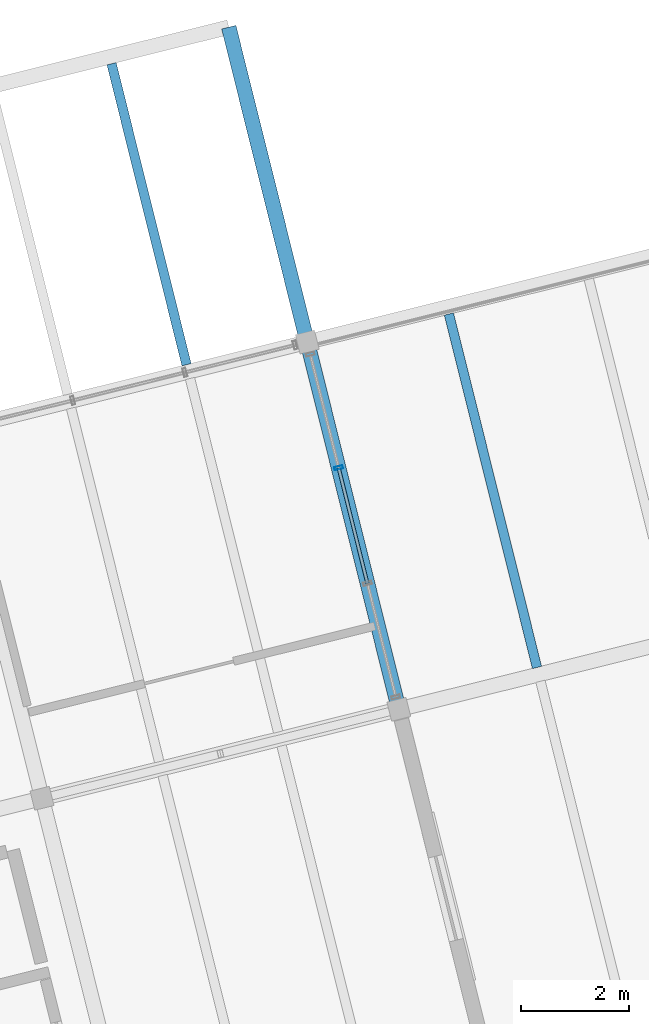
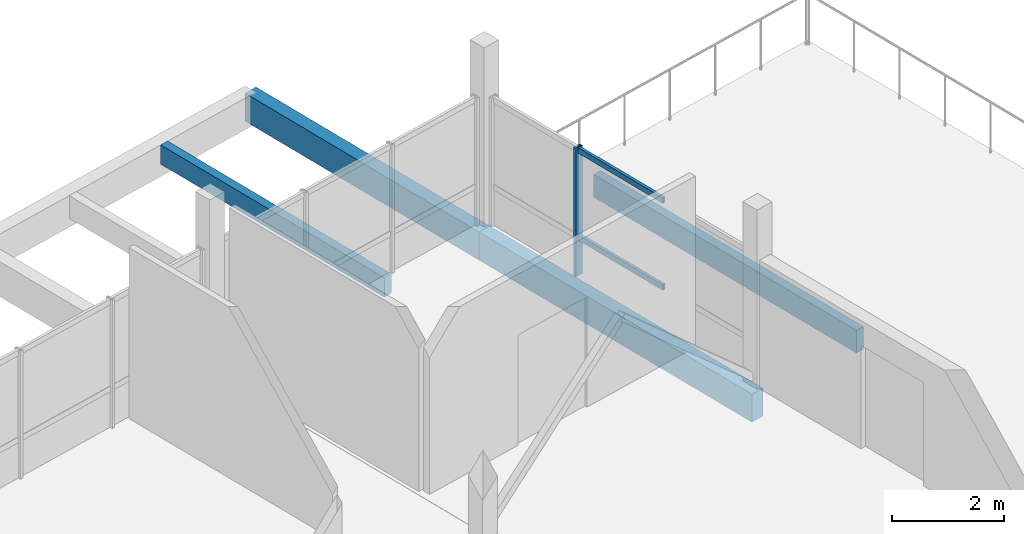
# One storey, part 23 of 28: 4 beams, 3 members, 1 element without a shape of its own.
"""IFC4 building model written with IfcOpenShell, lengths in metres."""

from ifc_helpers import new_model, si_unit, direction, frame, origin, origin_2d, place, context, subcontext, project, spatial, rectangle, hollow_rectangle, extrude, material, layer, layer_set, material_profile, profile_set, type_object, element, aggregate, save


model = new_model("IFC4")

# Units and contexts
model_context = context("Model", 3, precision=1e-05, world=origin(), true_north=direction((0.0, 1.0)))
body_context = subcontext(model_context, "Body", "Model", "MODEL_VIEW")
ifc_project = project(units=[si_unit("LENGTHUNIT", "METRE"), si_unit("AREAUNIT", "SQUARE_METRE"), si_unit("VOLUMEUNIT", "CUBIC_METRE"), si_unit("PLANEANGLEUNIT", "RADIAN"), si_unit("MASSUNIT", "GRAM", prefix="KILO")], contexts=[model_context])

# Site, building, storey
site_placement = place(None, origin())
site = spatial("IfcSite", under=ifc_project, at=site_placement, CompositionType="ELEMENT")
building_placement = place(site_placement, origin())
building = spatial("IfcBuilding", under=site, at=building_placement, Name="Meriwether Solvik Hall", CompositionType="ELEMENT")
storey_placement = place(building_placement, frame((0.0, 0.0, 45.60009765625)))
storey = spatial("IfcBuildingStorey", under=building, at=storey_placement, Name="L11", CompositionType="ELEMENT", Elevation=45.60009765625)

# Beams
ifc_material_1 = material(Name="Glulam Douglas-Fir 24F-V8 GL28h", Category="wood")
ifc_material_profile_1 = material_profile(ifc_material_1, rectangle(XDim=0.27294921875, YDim=0.610107421875, at=origin_2d()), Name="GLB-273X610")
ifc_profile_set_1 = profile_set([ifc_material_profile_1], Name="Glulam Douglas-Fir 24F-V8 GL28h")
beam_type_1 = type_object("IfcBeamType", Name="BM-GL-273X610", PredefinedType="SPANDREL", material=ifc_profile_set_1)
beam_1_placement = place(storey_placement, frame((98.4501953125, 70.285400390625, -0.525146484375), z_axis=(-0.241911879182, 0.970298223594, 0.0), x_axis=(-0.970298223594, -0.241911879182, 0.0)))
element("IfcBeam", 1, at=beam_1_placement, inside=storey, type_object=beam_type_1, Name="Tower Girder T6:TD-TE (L11)", PredefinedType="SPANDREL", context=body_context, shape_type="SweptSolid", body=[
    extrude(rectangle(XDim=0.27294921875, YDim=0.610107421875, at=origin_2d()), origin(), (0.0, 0.0, 1.0), 7.0),
])
beam_2_placement = place(storey_placement, frame((96.7568359375, 77.077392578125, -0.525146484375), z_axis=(-0.241903677572, 0.970300268359, 0.0), x_axis=(-0.970300268359, -0.241903677572, 0.0)))
element("IfcBeam", 2, at=beam_2_placement, inside=storey, type_object=beam_type_1, Name="Tower Girder T6:TE-TF (L11)", PredefinedType="SPANDREL", context=body_context, shape_type="SweptSolid", body=[
    extrude(rectangle(XDim=0.27294921875, YDim=0.610107421875, at=origin_2d()), origin(), (0.0, 0.0, 1.0), 6.0),
])

# Curtain wall, members
ifc_material_2 = material(Name="Thermally Broken Anodised Aluminium 6063-T6 and Low-E Glass", Category="aluminium")
ifc_layer = layer(ifc_material_2, 0.179931640625)
ifc_layer_set = layer_set([ifc_layer], Name="Thermally Broken Anodised Aluminium 6063-T6 and Low-E Glass")
curtain_wall_type = type_object("IfcCurtainWallType", Name="CW-UNIT-F", PredefinedType="USERDEFINED", material=ifc_layer_set)
curtain_wall_placement = place(storey_placement, origin())
curtain_wall = element("IfcCurtainWall", 3, at=curtain_wall_placement, inside=storey, type_object=curtain_wall_type, Name="Curtain Wall E1_B3 (L11)", ObjectType="UNITISED CURTAIN WALL", PredefinedType="USERDEFINED")
ifc_material_3 = material(Name="Anodised Aluminium 6063-T6", Category="aluminium")
ifc_material_profile_2 = material_profile(ifc_material_3, hollow_rectangle(XDim=0.06005859375, YDim=0.159912109375, WallThickness=0.00390625, at=origin_2d()), Name="CWM-60X160")
ifc_profile_set_2 = profile_set([ifc_material_profile_2], Name="Anodised Aluminium 6063-T6")
member_type_1 = type_object("IfcMemberType", Name="CW-MUL-60X160", PredefinedType="MULLION", material=ifc_profile_set_2)
member_1_placement = place(storey_placement, frame((97.3369140625, 74.75048828125, 0.0), z_axis=(0.0, 0.0, 1.0), x_axis=(0.241921946828, -0.970295713503, 0.0)))
member_1 = element("IfcMember", 4, at=member_1_placement, type_object=member_type_1, Name="Curtain Wall Mullion 2", PredefinedType="MULLION", context=body_context, shape_type="SweptSolid", body=[
    extrude(hollow_rectangle(XDim=0.06005859375, YDim=0.159912109375, WallThickness=0.00390625, at=origin_2d()), origin(), (0.0, 0.0, 1.0), 2.789794921875),
])
ifc_material_4 = material(Name="Anodised Aluminium 6063-T6", Category="aluminium")
ifc_material_profile_3 = material_profile(ifc_material_4, hollow_rectangle(XDim=0.06005859375, YDim=0.1201171875, WallThickness=0.00390625, at=origin_2d()), Name="CWT-60X120")
ifc_profile_set_3 = profile_set([ifc_material_profile_3], Name="Anodised Aluminium 6063-T6")
member_type_2 = type_object("IfcMemberType", Name="CW-TRN-60X120", PredefinedType="USERDEFINED", material=ifc_profile_set_3)
member_2_placement = place(storey_placement, frame((97.3369140625, 74.75048828125, 0.8369140625), z_axis=(0.241962089235, -0.970285703993, 0.0), x_axis=(0.970285703993, 0.241962089235, 0.0)))
member_2 = element("IfcMember", 5, at=member_2_placement, type_object=member_type_2, Name="Curtain Wall Transom 2-sill", ObjectType="TRANSOM", PredefinedType="USERDEFINED", context=body_context, shape_type="SweptSolid", body=[
    extrude(hollow_rectangle(XDim=0.06005859375, YDim=0.1201171875, WallThickness=0.00390625, at=origin_2d()), origin(), (0.0, 0.0, 1.0), 2.20361328125),
])
member_3_placement = place(storey_placement, frame((97.3369140625, 74.75048828125, 2.72998046875), z_axis=(0.241962089235, -0.970285703993, 0.0), x_axis=(0.970285703993, 0.241962089235, 0.0)))
member_3 = element("IfcMember", 6, at=member_3_placement, type_object=member_type_2, Name="Curtain Wall Transom 2-head", ObjectType="TRANSOM", PredefinedType="USERDEFINED", context=body_context, shape_type="SweptSolid", body=[
    extrude(hollow_rectangle(XDim=0.06005859375, YDim=0.1201171875, WallThickness=0.00390625, at=origin_2d()), origin(), (0.0, 0.0, 1.0), 2.20361328125),
])
aggregate(curtain_wall, [member_1, member_2, member_3])

# Beams
ifc_material_5 = material(Name="Glulam Douglas-Fir 24F-V8 GL28h", Category="wood")
ifc_material_profile_4 = material_profile(ifc_material_5, rectangle(XDim=0.175048828125, YDim=0.419921875, at=origin_2d()), Name="GLJ-175X420")
ifc_profile_set_4 = profile_set([ifc_material_profile_4], Name="Glulam Douglas-Fir 24F-V8 GL28h")
beam_type_2 = type_object("IfcBeamType", Name="JST-GL-175X420", PredefinedType="JOIST", material=ifc_profile_set_4)
beam_3_placement = place(storey_placement, frame((94.525634765625, 76.65673828125, -0.41015625), z_axis=(-0.241924788532, 0.970295004982, 0.0), x_axis=(-0.970295004982, -0.241924788532, 0.0)))
element("IfcBeam", 7, at=beam_3_placement, inside=storey, type_object=beam_type_2, Name="Glulam Floor Joist T5/TE-J2 (L11)", PredefinedType="JOIST", context=body_context, shape_type="SweptSolid", body=[
    extrude(rectangle(XDim=0.175048828125, YDim=0.419921875, at=origin_2d()), origin(), (0.0, 0.0, 1.0), 5.737060546875),
])
ifc_material_6 = material(Name="Glulam Douglas-Fir 24F-V8 GL28h", Category="wood")
ifc_material_profile_5 = material_profile(ifc_material_6, rectangle(XDim=0.175048828125, YDim=0.4951171875, at=origin_2d()), Name="GLJ-175X495")
ifc_profile_set_5 = profile_set([ifc_material_profile_5], Name="Glulam Douglas-Fir 24F-V8 GL28h")
beam_type_3 = type_object("IfcBeamType", Name="JST-GL-175X495", PredefinedType="JOIST", material=ifc_profile_set_5)
beam_4_placement = place(storey_placement, frame((101.005859375, 71.05810546875, -0.467529296875), z_axis=(-0.241896058636, 0.970302167789, 0.0), x_axis=(-0.970302167789, -0.241896058636, 0.0)))
element("IfcBeam", 8, at=beam_4_placement, inside=storey, type_object=beam_type_3, Name="Glulam Floor Joist T6/TD-J1 (L11)", PredefinedType="JOIST", context=body_context, shape_type="SweptSolid", body=[
    extrude(rectangle(XDim=0.175048828125, YDim=0.4951171875, at=origin_2d()), origin(), (0.0, 0.0, 1.0), 6.73681640625),
])

save(model, "model.ifc")
